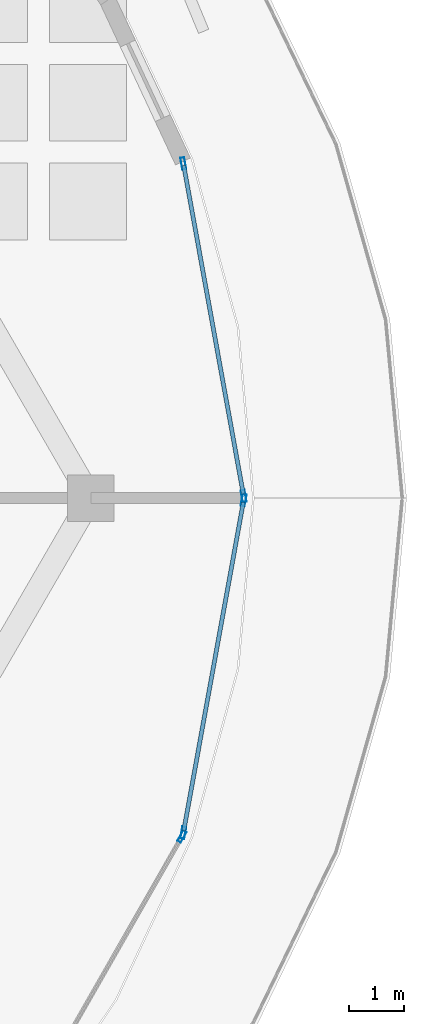
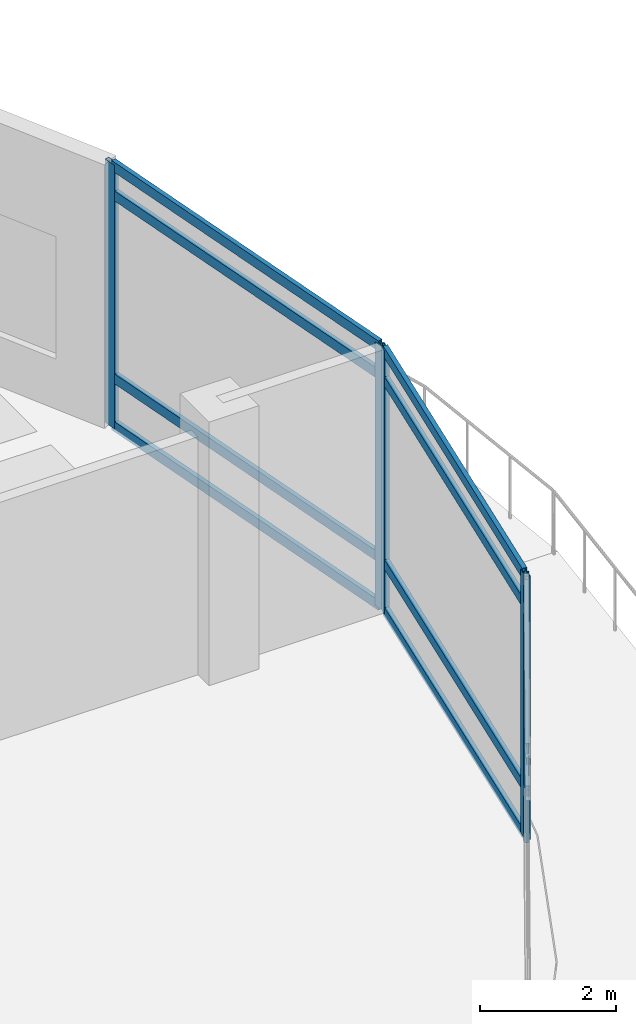
# One storey, part 23 of 34: 13 members, 3 elements without a shape of their own.
"""IFC4 building model written with IfcOpenShell, lengths in metres."""

from ifc_helpers import new_model, si_unit, direction, frame, origin, origin_2d, place, context, subcontext, project, spatial, hollow_rectangle, extrude, material, layer, layer_set, material_profile, profile_set, type_object, element, aggregate, save


model = new_model("IFC4")

# Units and contexts
model_context = context("Model", 3, precision=1e-05, world=origin(), true_north=direction((0.0, 1.0)))
body_context = subcontext(model_context, "Body", "Model", "MODEL_VIEW")
ifc_project = project(units=[si_unit("LENGTHUNIT", "METRE"), si_unit("AREAUNIT", "SQUARE_METRE"), si_unit("VOLUMEUNIT", "CUBIC_METRE"), si_unit("PLANEANGLEUNIT", "RADIAN"), si_unit("MASSUNIT", "GRAM", prefix="KILO")], contexts=[model_context])

# Site, building, storey
site_placement = place(None, origin())
site = spatial("IfcSite", under=ifc_project, at=site_placement, CompositionType="ELEMENT")
building_placement = place(site_placement, origin())
building = spatial("IfcBuilding", under=site, at=building_placement, Name="Nuhasar Tower", CompositionType="ELEMENT")
storey_placement = place(building_placement, frame((0.0, 0.0, 16.0)))
storey = spatial("IfcBuildingStorey", under=building, at=storey_placement, Name="L03", CompositionType="ELEMENT", Elevation=16.0)

# Curtain wall, members
ifc_material = material(Name="Aluminium 6063-T6", Category="aluminium")
ifc_layer = layer(ifc_material, 0.219970703125)
ifc_layer_set = layer_set([ifc_layer], Name="Aluminium 6063-T6")
curtain_wall_type = type_object("IfcCurtainWallType", Name="CW-PODIUM", PredefinedType="NOTDEFINED", material=ifc_layer_set)
curtain_wall_1_placement = place(storey_placement, origin())
curtain_wall_1 = element("IfcCurtainWall", 1, at=curtain_wall_1_placement, inside=storey, type_object=curtain_wall_type, Name="L03 Podium Curtain Wall Bay 01", PredefinedType="NOTDEFINED")
ifc_material_profile_1 = material_profile(ifc_material, hollow_rectangle(XDim=0.074951171875, YDim=0.219970703125, WallThickness=0.0048828125, at=origin_2d()), Name="CWM-1")
ifc_profile_set_1 = profile_set([ifc_material_profile_1], Name="Aluminium 6063-T6")
member_type_1 = type_object("IfcMemberType", Name="CW-MUL-S1", PredefinedType="MULLION", material=ifc_profile_set_1)
member_1_placement = place(storey_placement, frame((71.63330078125, 26.8369140625, 0.0), z_axis=(0.0, 0.0, 1.0), x_axis=(-0.983946852717, -0.178461735474, 0.0)))
member_1 = element("IfcMember", 2, at=member_1_placement, type_object=member_type_1, Name="CW-P1 mullion 1", PredefinedType="MULLION", context=body_context, shape_type="SweptSolid", body=[
    extrude(hollow_rectangle(XDim=0.074951171875, YDim=0.219970703125, WallThickness=0.0048828125, at=origin_2d()), origin(), (0.0, 0.0, 1.0), 4.739990234375),
])
member_2_placement = place(storey_placement, frame((70.53466796875, 32.89404296875, 0.0), z_axis=(0.0, 0.0, 1.0), x_axis=(-0.983946852717, -0.178461735474, 0.0)))
member_2 = element("IfcMember", 3, at=member_2_placement, type_object=member_type_1, Name="CW-P1 mullion 2", PredefinedType="MULLION", context=body_context, shape_type="SweptSolid", body=[
    extrude(hollow_rectangle(XDim=0.074951171875, YDim=0.219970703125, WallThickness=0.0048828125, at=origin_2d()), origin(), (0.0, 0.0, 1.0), 4.739990234375),
])

# Curtain wall, member
curtain_wall_2_placement = place(storey_placement, origin())
curtain_wall_2 = element("IfcCurtainWall", 4, at=curtain_wall_2_placement, inside=storey, type_object=curtain_wall_type, Name="L03 Podium Curtain Wall Bay 23", PredefinedType="NOTDEFINED")
member_3_placement = place(storey_placement, frame((70.509521484375, 20.636474609375, 0.0), z_axis=(0.0, 0.0, 1.0), x_axis=(-0.86851426961, 0.495664164011, 0.0)))
member_3 = element("IfcMember", 5, at=member_3_placement, type_object=member_type_1, Name="CW-P1 mullion 2", PredefinedType="MULLION", context=body_context, shape_type="SweptSolid", body=[
    extrude(hollow_rectangle(XDim=0.074951171875, YDim=0.219970703125, WallThickness=0.0048828125, at=origin_2d()), origin(), (0.0, 0.0, 1.0), 4.739990234375),
])
aggregate(curtain_wall_2, [member_3])

# Curtain wall, members
curtain_wall_3_placement = place(storey_placement, origin())
curtain_wall_3 = element("IfcCurtainWall", 6, at=curtain_wall_3_placement, inside=storey, type_object=curtain_wall_type, Name="L03 Podium Curtain Wall Bay 24", PredefinedType="NOTDEFINED")
member_4_placement = place(storey_placement, frame((70.53466796875, 20.705810546875, 0.0), z_axis=(0.0, 0.0, 1.0), x_axis=(-0.983946852717, 0.178461735474, 0.0)))
member_4 = element("IfcMember", 7, at=member_4_placement, type_object=member_type_1, Name="CW-P1 mullion 1", PredefinedType="MULLION", context=body_context, shape_type="SweptSolid", body=[
    extrude(hollow_rectangle(XDim=0.074951171875, YDim=0.219970703125, WallThickness=0.0048828125, at=origin_2d()), origin(), (0.0, 0.0, 1.0), 4.739990234375),
])
member_5_placement = place(storey_placement, frame((71.63330078125, 26.76318359375, 0.0), z_axis=(0.0, 0.0, 1.0), x_axis=(-0.983946852717, 0.178461735474, 0.0)))
member_5 = element("IfcMember", 8, at=member_5_placement, type_object=member_type_1, Name="CW-P1 mullion 2", PredefinedType="MULLION", context=body_context, shape_type="SweptSolid", body=[
    extrude(hollow_rectangle(XDim=0.074951171875, YDim=0.219970703125, WallThickness=0.0048828125, at=origin_2d()), origin(), (0.0, 0.0, 1.0), 4.739990234375),
])

# Member
ifc_material_profile_2 = material_profile(ifc_material, hollow_rectangle(XDim=0.074951171875, YDim=0.179931640625, WallThickness=0.00439453125, at=origin_2d()), Name="CWT-1")
ifc_profile_set_2 = profile_set([ifc_material_profile_2], Name="Aluminium 6063-T6")
member_type_2 = type_object("IfcMemberType", Name="CW-TRN-S1", PredefinedType="USERDEFINED", material=ifc_profile_set_2)
member_6_placement = place(storey_placement, frame((71.626708984375, 26.873779296875, 0.03759765625), z_axis=(-0.178457925253, 0.983947543782, 0.0), x_axis=(-0.983947543782, -0.178457925253, 0.0)))
member_6 = element("IfcMember", 9, at=member_6_placement, type_object=member_type_2, Name="CW-P1 transom 1.1", ObjectType="TRANSOM", PredefinedType="USERDEFINED", context=body_context, shape_type="SweptSolid", body=[
    extrude(hollow_rectangle(XDim=0.074951171875, YDim=0.179931640625, WallThickness=0.00439453125, at=origin_2d()), origin(), (0.0, 0.0, 1.0), 6.0810546875),
])

member_7_placement = place(storey_placement, frame((71.626708984375, 26.873779296875, 0.89990234375), z_axis=(-0.178457925253, 0.983947543782, 0.0), x_axis=(-0.983947543782, -0.178457925253, 0.0)))
member_7 = element("IfcMember", 10, at=member_7_placement, type_object=member_type_2, Name="CW-P1 transom 1.2", ObjectType="TRANSOM", PredefinedType="USERDEFINED", context=body_context, shape_type="SweptSolid", body=[
    extrude(hollow_rectangle(XDim=0.074951171875, YDim=0.179931640625, WallThickness=0.00439453125, at=origin_2d()), origin(), (0.0, 0.0, 1.0), 6.0810546875),
])

member_8_placement = place(storey_placement, frame((71.626708984375, 26.873779296875, 4.18994140625), z_axis=(-0.178457925253, 0.983947543782, 0.0), x_axis=(-0.983947543782, -0.178457925253, 0.0)))
member_8 = element("IfcMember", 11, at=member_8_placement, type_object=member_type_2, Name="CW-P1 transom 1.3", ObjectType="TRANSOM", PredefinedType="USERDEFINED", context=body_context, shape_type="SweptSolid", body=[
    extrude(hollow_rectangle(XDim=0.074951171875, YDim=0.179931640625, WallThickness=0.00439453125, at=origin_2d()), origin(), (0.0, 0.0, 1.0), 6.0810546875),
])

member_9_placement = place(storey_placement, frame((71.626708984375, 26.873779296875, 4.702392578125), z_axis=(-0.178457925253, 0.983947543782, 0.0), x_axis=(-0.983947543782, -0.178457925253, 0.0)))
member_9 = element("IfcMember", 12, at=member_9_placement, type_object=member_type_2, Name="CW-P1 transom 1.4", ObjectType="TRANSOM", PredefinedType="USERDEFINED", context=body_context, shape_type="SweptSolid", body=[
    extrude(hollow_rectangle(XDim=0.074951171875, YDim=0.179931640625, WallThickness=0.00439453125, at=origin_2d()), origin(), (0.0, 0.0, 1.0), 6.0810546875),
])

aggregate(curtain_wall_1, [member_1, member_2, member_6, member_7, member_8, member_9])

member_10_placement = place(storey_placement, frame((70.54150390625, 20.74267578125, 0.03759765625), z_axis=(0.178450875807, 0.983948822309, 0.0), x_axis=(-0.983948822309, 0.178450875807, 0.0)))
member_10 = element("IfcMember", 13, at=member_10_placement, type_object=member_type_2, Name="CW-P1 transom 1.1", ObjectType="TRANSOM", PredefinedType="USERDEFINED", context=body_context, shape_type="SweptSolid", body=[
    extrude(hollow_rectangle(XDim=0.074951171875, YDim=0.179931640625, WallThickness=0.00439453125, at=origin_2d()), origin(), (0.0, 0.0, 1.0), 6.081298828125),
])

member_11_placement = place(storey_placement, frame((70.54150390625, 20.74267578125, 0.89990234375), z_axis=(0.178450875807, 0.983948822309, 0.0), x_axis=(-0.983948822309, 0.178450875807, 0.0)))
member_11 = element("IfcMember", 14, at=member_11_placement, type_object=member_type_2, Name="CW-P1 transom 1.2", ObjectType="TRANSOM", PredefinedType="USERDEFINED", context=body_context, shape_type="SweptSolid", body=[
    extrude(hollow_rectangle(XDim=0.074951171875, YDim=0.179931640625, WallThickness=0.00439453125, at=origin_2d()), origin(), (0.0, 0.0, 1.0), 6.081298828125),
])

member_12_placement = place(storey_placement, frame((70.54150390625, 20.74267578125, 4.18994140625), z_axis=(0.178450875807, 0.983948822309, 0.0), x_axis=(-0.983948822309, 0.178450875807, 0.0)))
member_12 = element("IfcMember", 15, at=member_12_placement, type_object=member_type_2, Name="CW-P1 transom 1.3", ObjectType="TRANSOM", PredefinedType="USERDEFINED", context=body_context, shape_type="SweptSolid", body=[
    extrude(hollow_rectangle(XDim=0.074951171875, YDim=0.179931640625, WallThickness=0.00439453125, at=origin_2d()), origin(), (0.0, 0.0, 1.0), 6.081298828125),
])

member_13_placement = place(storey_placement, frame((70.54150390625, 20.74267578125, 4.702392578125), z_axis=(0.178450875807, 0.983948822309, 0.0), x_axis=(-0.983948822309, 0.178450875807, 0.0)))
member_13 = element("IfcMember", 16, at=member_13_placement, type_object=member_type_2, Name="CW-P1 transom 1.4", ObjectType="TRANSOM", PredefinedType="USERDEFINED", context=body_context, shape_type="SweptSolid", body=[
    extrude(hollow_rectangle(XDim=0.074951171875, YDim=0.179931640625, WallThickness=0.00439453125, at=origin_2d()), origin(), (0.0, 0.0, 1.0), 6.081298828125),
])

aggregate(curtain_wall_3, [member_4, member_5, member_10, member_11, member_12, member_13])

save(model, "model.ifc")
